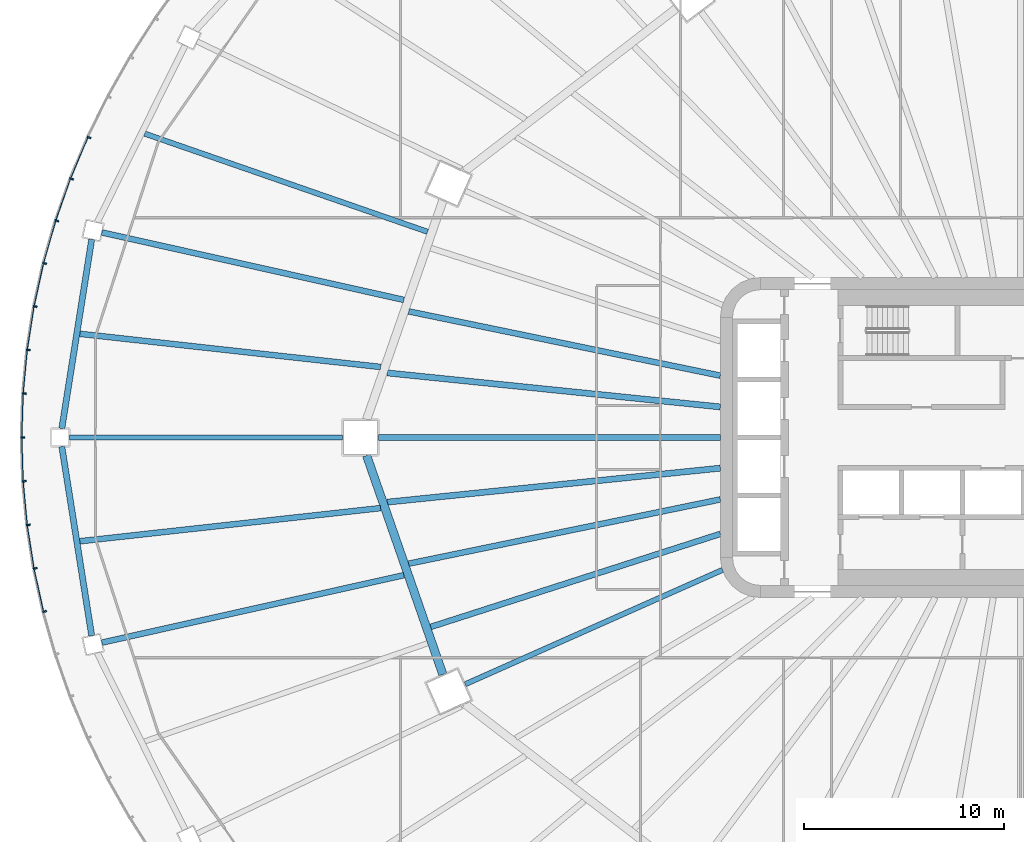
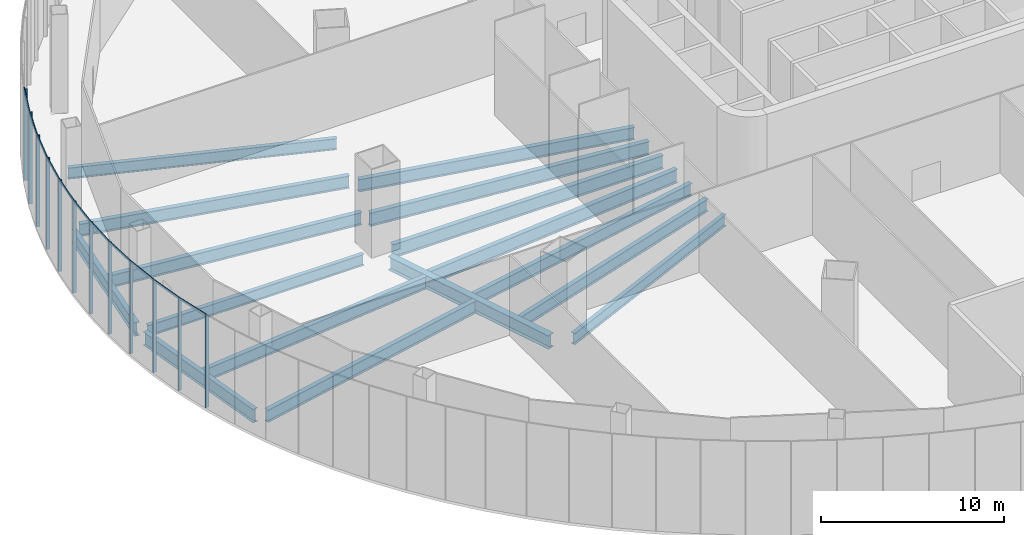
# One storey, part 6 of 33: 23 members, 16 beams, 3 elements without a shape of their own.
"""IFC4 building model written with IfcOpenShell, lengths in metres."""

from ifc_helpers import new_model, si_unit, direction, frame, origin, origin_2d, place, context, subcontext, project, spatial, rectangle, i_section, extrude, material, layer, layer_set, material_profile, profile_set, type_object, element, aggregate, save


model = new_model("IFC4")

# Units and contexts
model_context = context("Model", 3, precision=1e-05, world=origin(), true_north=direction((0.0, 1.0)))
body_context = subcontext(model_context, "Body", "Model", "MODEL_VIEW")
ifc_project = project(units=[si_unit("LENGTHUNIT", "METRE"), si_unit("AREAUNIT", "SQUARE_METRE"), si_unit("VOLUMEUNIT", "CUBIC_METRE"), si_unit("PLANEANGLEUNIT", "RADIAN"), si_unit("MASSUNIT", "GRAM", prefix="KILO")], contexts=[model_context])

# Site, building, storey
site_placement = place(None, origin())
site = spatial("IfcSite", under=ifc_project, at=site_placement, CompositionType="ELEMENT")
building_placement = place(site_placement, origin())
building = spatial("IfcBuilding", under=site, at=building_placement, Name="Sahrelin Media Tower", CompositionType="ELEMENT")
storey_placement = place(building_placement, frame((0.0, 0.0, 37.39990234375)))
storey = spatial("IfcBuildingStorey", under=building, at=storey_placement, Name="L05", CompositionType="ELEMENT", Elevation=37.39990234375)

# Curtain wall, members
ifc_material_1 = material(Name="Champagne anodised aluminium 6063-T6", Category="aluminium")
ifc_layer = layer(ifc_material_1, 0.14990234375)
ifc_layer_set = layer_set([ifc_layer], Name="Podium ribbon curtain wall")
curtain_wall_type = type_object("IfcCurtainWallType", Name="Podium ribbon curtain wall", PredefinedType="NOTDEFINED", material=ifc_layer_set)
curtain_wall_1_placement = place(storey_placement, frame((-43.30126953125, 21.0, 0.0), z_axis=(0.0, 0.0, 1.0), x_axis=(1.0, 0.0, 0.0)))
curtain_wall_1 = element("IfcCurtainWall", 1, at=curtain_wall_1_placement, inside=storey, type_object=curtain_wall_type, Name="L05:CW:L05-P10", PredefinedType="NOTDEFINED")
ifc_material_profile_1 = material_profile(ifc_material_1, rectangle(XDim=0.080078125, YDim=0.199951171875, at=origin_2d()), Name="Mullion 80x200")
ifc_profile_set_1 = profile_set([ifc_material_profile_1], Name="Champagne anodised aluminium 6063-T6")
member_type_1 = type_object("IfcMemberType", Name="Mullion 80x200 CW5", PredefinedType="MULLION", material=ifc_profile_set_1)
member_1_placement = place(storey_placement, frame((-46.568359375, 15.0048828125, 0.0), z_axis=(0.0, 0.0, 1.0), x_axis=(-0.388450189752, -0.921469722824, 0.0)))
member_1 = element("IfcMember", 2, at=member_1_placement, type_object=member_type_1, Name="L05:CWM4:L05-P10", PredefinedType="MULLION", context=body_context, shape_type="SweptSolid", body=[
    extrude(rectangle(XDim=0.080078125, YDim=0.199951171875, at=origin_2d()), origin(), (0.0, 0.0, 1.0), 6.10009765625),
])
member_2_placement = place(storey_placement, frame((-47.439697265625, 12.938720703125, 0.0), z_axis=(0.0, 0.0, 1.0), x_axis=(-0.332579242691, -0.943075313711, 0.0)))
member_2 = element("IfcMember", 3, at=member_2_placement, type_object=member_type_1, Name="L05:CWM5:L05-P10", PredefinedType="MULLION", context=body_context, shape_type="SweptSolid", body=[
    extrude(rectangle(XDim=0.080078125, YDim=0.199951171875, at=origin_2d()), origin(), (0.0, 0.0, 1.0), 6.10009765625),
])

curtain_wall_2_placement = place(storey_placement, frame((-48.29638671875, 10.870361328125, 0.0), z_axis=(0.0, 0.0, 1.0), x_axis=(1.0, 0.0, 0.0)))
curtain_wall_2 = element("IfcCurtainWall", 4, at=curtain_wall_2_placement, inside=storey, type_object=curtain_wall_type, Name="L05:CW:L05-P11", PredefinedType="NOTDEFINED")
member_3_placement = place(storey_placement, frame((-48.180908203125, 10.83740234375, 0.0), z_axis=(0.0, 0.0, 1.0), x_axis=(-0.274810138831, -0.961498511489, 0.0)))
member_3 = element("IfcMember", 5, at=member_3_placement, type_object=member_type_1, Name="L05:CWM1:L05-P11", PredefinedType="MULLION", context=body_context, shape_type="SweptSolid", body=[
    extrude(rectangle(XDim=0.080078125, YDim=0.199951171875, at=origin_2d()), origin(), (0.0, 0.0, 1.0), 6.10009765625),
])
member_4_placement = place(storey_placement, frame((-48.790283203125, 8.706298828125, 0.0), z_axis=(0.0, 0.0, 1.0), x_axis=(-0.215437572845, -0.976517614898, 0.0)))
member_4 = element("IfcMember", 6, at=member_4_placement, type_object=member_type_1, Name="L05:CWM2:L05-P11", PredefinedType="MULLION", context=body_context, shape_type="SweptSolid", body=[
    extrude(rectangle(XDim=0.080078125, YDim=0.199951171875, at=origin_2d()), origin(), (0.0, 0.0, 1.0), 6.10009765625),
])
member_5_placement = place(storey_placement, frame((-49.265869140625, 6.551513671875, 0.0), z_axis=(0.0, 0.0, 1.0), x_axis=(-0.154851778565, -0.987937713965, 0.0)))
member_5 = element("IfcMember", 7, at=member_5_placement, type_object=member_type_1, Name="L05:CWM3:L05-P11", PredefinedType="MULLION", context=body_context, shape_type="SweptSolid", body=[
    extrude(rectangle(XDim=0.080078125, YDim=0.199951171875, at=origin_2d()), origin(), (0.0, 0.0, 1.0), 6.10009765625),
])
member_6_placement = place(storey_placement, frame((-49.606689453125, 4.37890625, 0.0), z_axis=(0.0, 0.0, 1.0), x_axis=(-0.09329161754, -0.995638827134, 0.0)))
member_6 = element("IfcMember", 8, at=member_6_placement, type_object=member_type_1, Name="L05:CWM4:L05-P11", PredefinedType="MULLION", context=body_context, shape_type="SweptSolid", body=[
    extrude(rectangle(XDim=0.080078125, YDim=0.199951171875, at=origin_2d()), origin(), (0.0, 0.0, 1.0), 6.10009765625),
])
member_7_placement = place(storey_placement, frame((-49.8115234375, 2.1943359375, 0.0), z_axis=(0.0, 0.0, 1.0), x_axis=(-0.031147343317, -0.999514803794, 0.0)))
member_7 = element("IfcMember", 9, at=member_7_placement, type_object=member_type_1, Name="L05:CWM5:L05-P11", PredefinedType="MULLION", context=body_context, shape_type="SweptSolid", body=[
    extrude(rectangle(XDim=0.080078125, YDim=0.199951171875, at=origin_2d()), origin(), (0.0, 0.0, 1.0), 6.10009765625),
])

curtain_wall_3_placement = place(storey_placement, frame((-50.0, 0.0, 0.0), z_axis=(0.0, 0.0, 1.0), x_axis=(1.0, 0.0, 0.0)))
curtain_wall_3 = element("IfcCurtainWall", 10, at=curtain_wall_3_placement, inside=storey, type_object=curtain_wall_type, Name="L05:CW:L05-P12", PredefinedType="NOTDEFINED")
member_8_placement = place(storey_placement, frame((-49.880126953125, 0.003662109375, 0.0), z_axis=(0.0, 0.0, 1.0), x_axis=(0.031147343317, -0.999514803794, 0.0)))
member_8 = element("IfcMember", 11, at=member_8_placement, type_object=member_type_1, Name="L05:CWM1:L05-P12", PredefinedType="MULLION", context=body_context, shape_type="SweptSolid", body=[
    extrude(rectangle(XDim=0.080078125, YDim=0.199951171875, at=origin_2d()), origin(), (0.0, 0.0, 1.0), 6.10009765625),
])
member_9_placement = place(storey_placement, frame((-49.81201171875, -2.18701171875, 0.0), z_axis=(0.0, 0.0, 1.0), x_axis=(0.09329161754, -0.995638827134, 0.0)))
member_9 = element("IfcMember", 12, at=member_9_placement, type_object=member_type_1, Name="L05:CWM2:L05-P12", PredefinedType="MULLION", context=body_context, shape_type="SweptSolid", body=[
    extrude(rectangle(XDim=0.080078125, YDim=0.199951171875, at=origin_2d()), origin(), (0.0, 0.0, 1.0), 6.10009765625),
])
member_10_placement = place(storey_placement, frame((-49.607421875, -4.37158203125, 0.0), z_axis=(0.0, 0.0, 1.0), x_axis=(0.154851778565, -0.987937713965, 0.0)))
member_10 = element("IfcMember", 13, at=member_10_placement, type_object=member_type_1, Name="L05:CWM3:L05-P12", PredefinedType="MULLION", context=body_context, shape_type="SweptSolid", body=[
    extrude(rectangle(XDim=0.080078125, YDim=0.199951171875, at=origin_2d()), origin(), (0.0, 0.0, 1.0), 6.10009765625),
])
member_11_placement = place(storey_placement, frame((-49.26708984375, -6.544189453125, 0.0), z_axis=(0.0, 0.0, 1.0), x_axis=(0.215437572845, -0.976517614898, 0.0)))
member_11 = element("IfcMember", 14, at=member_11_placement, type_object=member_type_1, Name="L05:CWM4:L05-P12", PredefinedType="MULLION", context=body_context, shape_type="SweptSolid", body=[
    extrude(rectangle(XDim=0.080078125, YDim=0.199951171875, at=origin_2d()), origin(), (0.0, 0.0, 1.0), 6.10009765625),
])
member_12_placement = place(storey_placement, frame((-48.7919921875, -8.69921875, 0.0), z_axis=(0.0, 0.0, 1.0), x_axis=(0.274810138831, -0.961498511489, 0.0)))
member_12 = element("IfcMember", 15, at=member_12_placement, type_object=member_type_1, Name="L05:CWM5:L05-P12", PredefinedType="MULLION", context=body_context, shape_type="SweptSolid", body=[
    extrude(rectangle(XDim=0.080078125, YDim=0.199951171875, at=origin_2d()), origin(), (0.0, 0.0, 1.0), 6.10009765625),
])

# Beams
ifc_material_2 = material(Name="Steel S355", Category="steel")
ifc_material_profile_2 = material_profile(ifc_material_2, i_section(OverallWidth=0.30322265625, OverallDepth=0.903076171875, WebThickness=0.01513671875, FlangeThickness=0.020263671875, FilletRadius=0.01904296875, at=origin_2d()), Name="UB 914x305x201")
ifc_profile_set_2 = profile_set([ifc_material_profile_2], Name="Steel S355")
beam_type_1 = type_object("IfcBeamType", Name="Podium edge girder PE11", PredefinedType="BEAM", material=ifc_profile_set_2)
for number, where, z_axis, x_axis, name in (
    (16, (-46.434814453125, 9.907470703125, -0.6513671875), (-0.156048991104, -0.987749316565, 0.0), (0.987749316565, -0.156048991104, 0.0), "Podium edge girder L05-12"),
    (17, (-47.928955078125, -0.449951171875, -0.6513671875), (0.156048991104, -0.987749316565, 0.0), (0.987749316565, 0.156048991104, 0.0), "Podium edge girder L05-13"),
):
    element("IfcBeam", number, at=place(storey_placement, frame(where, z_axis=z_axis, x_axis=x_axis)), inside=storey, type_object=beam_type_1, Name=name, PredefinedType="BEAM", context=body_context, shape_type="SweptSolid", body=[
        extrude(i_section(OverallWidth=0.30322265625, OverallDepth=0.903076171875, WebThickness=0.01513671875, FlangeThickness=0.020263671875, FilletRadius=0.01904296875, at=origin_2d()), origin(), (0.0, 0.0, 1.0), 9.57470703125),
    ])
ifc_material_profile_3 = material_profile(ifc_material_2, i_section(OverallWidth=0.41845703125, OverallDepth=0.911865234375, WebThickness=0.019287109375, FlangeThickness=0.031982421875, FilletRadius=0.024169921875, at=origin_2d()), Name="UB 914x419x343")
ifc_profile_set_3 = profile_set([ifc_material_profile_3], Name="Steel S355")
beam_type_2 = type_object("IfcBeamType", Name="Podium ring girder PG12", PredefinedType="BEAM", material=ifc_profile_set_3)
beam_1_placement = place(storey_placement, frame((-32.686767578125, -0.89990234375, -0.65576171875), z_axis=(0.328773851324, -0.944408679908, 0.0), x_axis=(0.944408679908, 0.328773851324, 0.0)))
element("IfcBeam", 18, at=beam_1_placement, inside=storey, type_object=beam_type_2, Name="Podium girder L05-07", PredefinedType="BEAM", context=body_context, shape_type="SweptSolid", body=[
    extrude(i_section(OverallWidth=0.41845703125, OverallDepth=0.911865234375, WebThickness=0.019287109375, FlangeThickness=0.031982421875, FilletRadius=0.024169921875, at=origin_2d()), origin(), (0.0, 0.0, 1.0), 11.591552734375),
])
ifc_material_profile_4 = material_profile(ifc_material_2, i_section(OverallWidth=0.291748046875, OverallDepth=0.8349609375, WebThickness=0.013916015625, FlangeThickness=0.018798828125, FilletRadius=0.017822265625, at=origin_2d()), Name="UB 838x292x176")
ifc_profile_set_4 = profile_set([ifc_material_profile_4], Name="Steel S355")
beam_type_3 = type_object("IfcBeamType", Name="Radial primary beam PB10", PredefinedType="BEAM", material=ifc_profile_set_4)
for number, where, z_axis, x_axis, name in (
    (19, (-15.0, 3.093505859375, -0.617431640625), (-0.979386832716, 0.201993643221, 0.0), (-0.201993643221, -0.979386832716, 0.0), "Radial beam L05-12"),
    (20, (-15.0, -3.093505859375, -0.617431640625), (-0.979386832716, -0.201993643221, 0.0), (0.201993643221, -0.979386832716, 0.0), "Radial beam L05-14"),
):
    element("IfcBeam", number, at=place(storey_placement, frame(where, z_axis=z_axis, x_axis=x_axis)), inside=storey, type_object=beam_type_3, Name=name, PredefinedType="BEAM", context=body_context, shape_type="SweptSolid", body=[
        extrude(i_section(OverallWidth=0.291748046875, OverallDepth=0.8349609375, WebThickness=0.013916015625, FlangeThickness=0.018798828125, FilletRadius=0.017822265625, at=origin_2d()), origin(), (0.0, 0.0, 1.0), 15.91064453125),
    ])
for number, where, z_axis, x_axis, name in (
    (21, (-30.825439453125, 6.883056640625, -0.617431640625), (-0.975966755314, 0.217919463385, 0.0), (-0.217919463385, -0.975966755314, 0.0), "Radial beam L05-14"),
    (22, (-30.825439453125, -6.883056640625, -0.617431640625), (-0.975966755314, -0.217919463385, 0.0), (0.217919463385, -0.975966755314, 0.0), "Radial beam L05-16"),
):
    element("IfcBeam", number, at=place(storey_placement, frame(where, z_axis=z_axis, x_axis=x_axis)), inside=storey, type_object=beam_type_3, Name=name, PredefinedType="BEAM", context=body_context, shape_type="SweptSolid", body=[
        extrude(i_section(OverallWidth=0.291748046875, OverallDepth=0.8349609375, WebThickness=0.013916015625, FlangeThickness=0.018798828125, FilletRadius=0.017822265625, at=origin_2d()), origin(), (0.0, 0.0, 1.0), 15.4716796875),
    ])
ifc_material_profile_5 = material_profile(ifc_material_2, i_section(OverallWidth=0.30322265625, OverallDepth=0.903076171875, WebThickness=0.01513671875, FlangeThickness=0.020263671875, FilletRadius=0.01904296875, at=origin_2d()), Name="UB 914x305x201")
ifc_profile_set_5 = profile_set([ifc_material_profile_5], Name="Steel S355")
beam_type_4 = type_object("IfcBeamType", Name="Radial primary beam PB11", PredefinedType="BEAM", material=ifc_profile_set_5)
beam_2_placement = place(storey_placement, frame((-15.0, 0.0, -0.6513671875), z_axis=(-1.0, 0.0, 0.0), x_axis=(0.0, -1.0, 0.0)))
element("IfcBeam", 23, at=beam_2_placement, inside=storey, type_object=beam_type_4, Name="Radial beam L05-13", PredefinedType="BEAM", context=body_context, shape_type="SweptSolid", body=[
    extrude(i_section(OverallWidth=0.30322265625, OverallDepth=0.903076171875, WebThickness=0.01513671875, FlangeThickness=0.020263671875, FilletRadius=0.01904296875, at=origin_2d()), origin(), (0.0, 0.0, 1.0), 17.10009765625),
])
ifc_material_profile_6 = material_profile(ifc_material_2, i_section(OverallWidth=0.26513671875, OverallDepth=0.75390625, WebThickness=0.0126953125, FlangeThickness=0.017578125, FilletRadius=0.0166015625, at=origin_2d()), Name="UB 762x267x147")
ifc_profile_set_6 = profile_set([ifc_material_profile_6], Name="Steel S355")
beam_type_5 = type_object("IfcBeamType", Name="Radial primary beam PB9", PredefinedType="BEAM", material=ifc_profile_set_6)
beam_3_placement = place(storey_placement, frame((-14.890625, -6.6171875, -0.576904296875), z_axis=(-0.913833000058, -0.406090196883, 0.0), x_axis=(0.406090196883, -0.913833000058, 0.0)))
element("IfcBeam", 24, at=beam_3_placement, inside=storey, type_object=beam_type_5, Name="Radial beam L05-15", PredefinedType="BEAM", context=body_context, shape_type="SweptSolid", body=[
    extrude(i_section(OverallWidth=0.26513671875, OverallDepth=0.75390625, WebThickness=0.0126953125, FlangeThickness=0.017578125, FilletRadius=0.0166015625, at=origin_2d()), origin(), (0.0, 0.0, 1.0), 14.078857421875),
])
beam_4_placement = place(storey_placement, frame((-33.89990234375, 0.0, -0.576904296875), z_axis=(-1.0, 0.0, 0.0), x_axis=(0.0, -1.0, 0.0)))
element("IfcBeam", 25, at=beam_4_placement, inside=storey, type_object=beam_type_5, Name="Radial beam L05-15", PredefinedType="BEAM", context=body_context, shape_type="SweptSolid", body=[
    extrude(i_section(OverallWidth=0.26513671875, OverallDepth=0.75390625, WebThickness=0.0126953125, FlangeThickness=0.017578125, FilletRadius=0.0166015625, at=origin_2d()), origin(), (0.0, 0.0, 1.0), 13.650146484375),
])
ifc_material_profile_7 = material_profile(ifc_material_2, i_section(OverallWidth=0.291748046875, OverallDepth=0.8349609375, WebThickness=0.013916015625, FlangeThickness=0.018798828125, FilletRadius=0.017822265625, at=origin_2d()), Name="UB 838x292x176")
ifc_profile_set_7 = profile_set([ifc_material_profile_7], Name="Steel S355")
beam_type_6 = type_object("IfcBeamType", Name="Radial secondary beam SB10", PredefinedType="BEAM", material=ifc_profile_set_7)
beam_5_placement = place(storey_placement, frame((-15.0, -4.81787109375, -0.617431640625), z_axis=(-0.952096340592, -0.305798231244, 0.0), x_axis=(0.305798231244, -0.952096340592, 0.0)))
element("IfcBeam", 26, at=beam_5_placement, inside=storey, type_object=beam_type_6, Name="Secondary beam L05-14", PredefinedType="BEAM", context=body_context, shape_type="SweptSolid", body=[
    extrude(i_section(OverallWidth=0.291748046875, OverallDepth=0.8349609375, WebThickness=0.013916015625, FlangeThickness=0.018798828125, FilletRadius=0.017822265625, at=origin_2d()), origin(), (0.0, 0.0, 1.0), 15.210693359375),
])
for number, where, z_axis, x_axis, name in (
    (27, (-31.9931640625, 3.528564453125, -0.617431640625), (-0.993973950123, 0.109616542901, 0.0), (-0.109616542901, -0.993973950123, 0.0), "Secondary beam L05-12"),
    (28, (-31.9931640625, -3.528564453125, -0.617431640625), (-0.993973950123, -0.109616542901, 0.0), (0.109616542901, -0.993973950123, 0.0), "Secondary beam L05-13"),
):
    element("IfcBeam", number, at=place(storey_placement, frame(where, z_axis=z_axis, x_axis=x_axis)), inside=storey, type_object=beam_type_6, Name=name, PredefinedType="BEAM", context=body_context, shape_type="SweptSolid", body=[
        extrude(i_section(OverallWidth=0.291748046875, OverallDepth=0.8349609375, WebThickness=0.013916015625, FlangeThickness=0.018798828125, FilletRadius=0.017822265625, at=origin_2d()), origin(), (0.0, 0.0, 1.0), 15.125),
    ])
ifc_material_profile_8 = material_profile(ifc_material_2, i_section(OverallWidth=0.30322265625, OverallDepth=0.903076171875, WebThickness=0.01513671875, FlangeThickness=0.020263671875, FilletRadius=0.01904296875, at=origin_2d()), Name="UB 914x305x201")
ifc_profile_set_8 = profile_set([ifc_material_profile_8], Name="Steel S355")
beam_type_7 = type_object("IfcBeamType", Name="Radial secondary beam SB11", PredefinedType="BEAM", material=ifc_profile_set_8)
for number, where, z_axis, x_axis, name in (
    (29, (-15.0, 1.53076171875, -0.6513671875), (-0.994833571419, 0.10151928476, 0.0), (-0.10151928476, -0.994833571419, 0.0), "Secondary beam L05-12"),
    (30, (-15.0, -1.53076171875, -0.6513671875), (-0.994833571419, -0.10151928476, 0.0), (0.10151928476, -0.994833571419, 0.0), "Secondary beam L05-13"),
):
    element("IfcBeam", number, at=place(storey_placement, frame(where, z_axis=z_axis, x_axis=x_axis)), inside=storey, type_object=beam_type_7, Name=name, PredefinedType="BEAM", context=body_context, shape_type="SweptSolid", body=[
        extrude(i_section(OverallWidth=0.30322265625, OverallDepth=0.903076171875, WebThickness=0.01513671875, FlangeThickness=0.020263671875, FilletRadius=0.01904296875, at=origin_2d()), origin(), (0.0, 0.0, 1.0), 16.740234375),
    ])
ifc_material_profile_9 = material_profile(ifc_material_2, i_section(OverallWidth=0.26513671875, OverallDepth=0.75390625, WebThickness=0.0126953125, FlangeThickness=0.017578125, FilletRadius=0.0166015625, at=origin_2d()), Name="UB 762x267x147")
ifc_profile_set_9 = profile_set([ifc_material_profile_9], Name="Steel S355")
beam_type_8 = type_object("IfcBeamType", Name="Radial secondary beam SB9", PredefinedType="BEAM", material=ifc_profile_set_9)
beam_6_placement = place(storey_placement, frame((-29.640380859375, 10.287109375, -0.576904296875), z_axis=(-0.944713020182, 0.32789832189, 0.0), x_axis=(-0.32789832189, -0.944713020182, 0.0)))
element("IfcBeam", 31, at=beam_6_placement, inside=storey, type_object=beam_type_8, Name="Secondary beam L05-11", PredefinedType="BEAM", context=body_context, shape_type="SweptSolid", body=[
    extrude(i_section(OverallWidth=0.26513671875, OverallDepth=0.75390625, WebThickness=0.0126953125, FlangeThickness=0.017578125, FilletRadius=0.0166015625, at=origin_2d()), origin(), (0.0, 0.0, 1.0), 14.974609375),
])

# Member
ifc_material_profile_10 = material_profile(ifc_material_1, rectangle(XDim=0.06005859375, YDim=0.14990234375, at=origin_2d()), Name="Transom 60x150")
ifc_profile_set_10 = profile_set([ifc_material_profile_10], Name="Champagne anodised aluminium 6063-T6")
member_type_2 = type_object("IfcMemberType", Name="Transom 60x150 CW5", PredefinedType="USERDEFINED", material=ifc_profile_set_10)
member_13_placement = place(storey_placement, frame((-46.65234375, 14.986083984375, 6.175048828125), z_axis=(-0.388379521363, -0.921499510247, 0.0), x_axis=(0.921499510247, -0.388379521363, 0.0)))
member_13 = element("IfcMember", 32, at=member_13_placement, type_object=member_type_2, Name="L05:CWT4a:L05-P10", ObjectType="TRANSOM", PredefinedType="USERDEFINED", context=body_context, shape_type="SweptSolid", body=[
    extrude(rectangle(XDim=0.06005859375, YDim=0.14990234375, at=origin_2d()), origin(), (0.0, 0.0, 1.0), 2.199462890625),
])

member_14_placement = place(storey_placement, frame((-47.522216796875, 12.914794921875, 6.175048828125), z_axis=(-0.332568838179, -0.943078982839, 0.0), x_axis=(0.943078982839, -0.332568838179, 0.0)))
member_14 = element("IfcMember", 33, at=member_14_placement, type_object=member_type_2, Name="L05:CWT5a:L05-P10", ObjectType="TRANSOM", PredefinedType="USERDEFINED", context=body_context, shape_type="SweptSolid", body=[
    extrude(rectangle(XDim=0.06005859375, YDim=0.14990234375, at=origin_2d()), origin(), (0.0, 0.0, 1.0), 2.185546875),
])

aggregate(curtain_wall_1, [member_1, member_13, member_2, member_14])

member_15_placement = place(storey_placement, frame((-48.261962890625, 10.80859375, 6.175048828125), z_axis=(-0.274824960972, -0.961494274984, 0.0), x_axis=(0.961494274984, -0.274824960972, 0.0)))
member_15 = element("IfcMember", 34, at=member_15_placement, type_object=member_type_2, Name="L05:CWT1a:L05-P11", ObjectType="TRANSOM", PredefinedType="USERDEFINED", context=body_context, shape_type="SweptSolid", body=[
    extrude(rectangle(XDim=0.06005859375, YDim=0.14990234375, at=origin_2d()), origin(), (0.0, 0.0, 1.0), 2.173828125),
])

member_16_placement = place(storey_placement, frame((-48.869384765625, 8.672607421875, 6.175048828125), z_axis=(-0.21547293686, -0.976509812281, 0.0), x_axis=(0.976509812281, -0.21547293686, 0.0)))
member_16 = element("IfcMember", 35, at=member_16_placement, type_object=member_type_2, Name="L05:CWT2a:L05-P11", ObjectType="TRANSOM", PredefinedType="USERDEFINED", context=body_context, shape_type="SweptSolid", body=[
    extrude(rectangle(XDim=0.06005859375, YDim=0.14990234375, at=origin_2d()), origin(), (0.0, 0.0, 1.0), 2.1640625),
])

member_17_placement = place(storey_placement, frame((-49.3427734375, 6.51318359375, 6.175048828125), z_axis=(-0.154863781247, -0.987935832561, 0.0), x_axis=(0.987935832561, -0.154863781247, 0.0)))
member_17 = element("IfcMember", 36, at=member_17_placement, type_object=member_type_2, Name="L05:CWT3a:L05-P11", ObjectType="TRANSOM", PredefinedType="USERDEFINED", context=body_context, shape_type="SweptSolid", body=[
    extrude(rectangle(XDim=0.06005859375, YDim=0.14990234375, at=origin_2d()), origin(), (0.0, 0.0, 1.0), 2.15673828125),
])

member_18_placement = place(storey_placement, frame((-49.680908203125, 4.335693359375, 6.175048828125), z_axis=(-0.093266896829, -0.995641143161, 0.0), x_axis=(0.995641143161, -0.093266896829, 0.0)))
member_18 = element("IfcMember", 37, at=member_18_placement, type_object=member_type_2, Name="L05:CWT4a:L05-P11", ObjectType="TRANSOM", PredefinedType="USERDEFINED", context=body_context, shape_type="SweptSolid", body=[
    extrude(rectangle(XDim=0.06005859375, YDim=0.14990234375, at=origin_2d()), origin(), (0.0, 0.0, 1.0), 2.151611328125),
])

member_19_placement = place(storey_placement, frame((-49.883056640625, 2.146484375, 6.175048828125), z_axis=(-0.031124815153, -0.999515505573, 0.0), x_axis=(0.999515505573, -0.031124815153, 0.0)))
member_19 = element("IfcMember", 38, at=member_19_placement, type_object=member_type_2, Name="L05:CWT5a:L05-P11", ObjectType="TRANSOM", PredefinedType="USERDEFINED", context=body_context, shape_type="SweptSolid", body=[
    extrude(rectangle(XDim=0.06005859375, YDim=0.14990234375, at=origin_2d()), origin(), (0.0, 0.0, 1.0), 2.149169921875),
])

aggregate(curtain_wall_2, [member_3, member_15, member_4, member_16, member_5, member_17, member_6, member_18, member_7, member_19])

member_20_placement = place(storey_placement, frame((-49.948486328125, -0.04833984375, 6.175048828125), z_axis=(0.031124815153, -0.999515505573, 0.0), x_axis=(0.999515505573, 0.031124815153, 0.0)))
member_20 = element("IfcMember", 39, at=member_20_placement, type_object=member_type_2, Name="L05:CWT1a:L05-P12", ObjectType="TRANSOM", PredefinedType="USERDEFINED", context=body_context, shape_type="SweptSolid", body=[
    extrude(rectangle(XDim=0.06005859375, YDim=0.14990234375, at=origin_2d()), origin(), (0.0, 0.0, 1.0), 2.149169921875),
])

member_21_placement = place(storey_placement, frame((-49.877197265625, -2.2431640625, 6.175048828125), z_axis=(0.093379371436, -0.99563060067, 0.0), x_axis=(0.99563060067, 0.093379371436, 0.0)))
member_21 = element("IfcMember", 40, at=member_21_placement, type_object=member_type_2, Name="L05:CWT2a:L05-P12", ObjectType="TRANSOM", PredefinedType="USERDEFINED", context=body_context, shape_type="SweptSolid", body=[
    extrude(rectangle(XDim=0.06005859375, YDim=0.14990234375, at=origin_2d()), origin(), (0.0, 0.0, 1.0), 2.15185546875),
])

member_22_placement = place(storey_placement, frame((-49.6689453125, -4.431884765625, 6.175048828125), z_axis=(0.154863781247, -0.987935832561, 0.0), x_axis=(0.987935832561, 0.154863781247, 0.0)))
member_22 = element("IfcMember", 41, at=member_22_placement, type_object=member_type_2, Name="L05:CWT3a:L05-P12", ObjectType="TRANSOM", PredefinedType="USERDEFINED", context=body_context, shape_type="SweptSolid", body=[
    extrude(rectangle(XDim=0.06005859375, YDim=0.14990234375, at=origin_2d()), origin(), (0.0, 0.0, 1.0), 2.15673828125),
])

member_23_placement = place(storey_placement, frame((-49.32470703125, -6.6083984375, 6.175048828125), z_axis=(0.215389086642, -0.976528310575, 0.0), x_axis=(0.976528310575, 0.215389086642, 0.0)))
member_23 = element("IfcMember", 42, at=member_23_placement, type_object=member_type_2, Name="L05:CWT4a:L05-P12", ObjectType="TRANSOM", PredefinedType="USERDEFINED", context=body_context, shape_type="SweptSolid", body=[
    extrude(rectangle(XDim=0.06005859375, YDim=0.14990234375, at=origin_2d()), origin(), (0.0, 0.0, 1.0), 2.163818359375),
])

aggregate(curtain_wall_3, [member_8, member_20, member_9, member_21, member_10, member_22, member_11, member_23, member_12])

save(model, "model.ifc")
